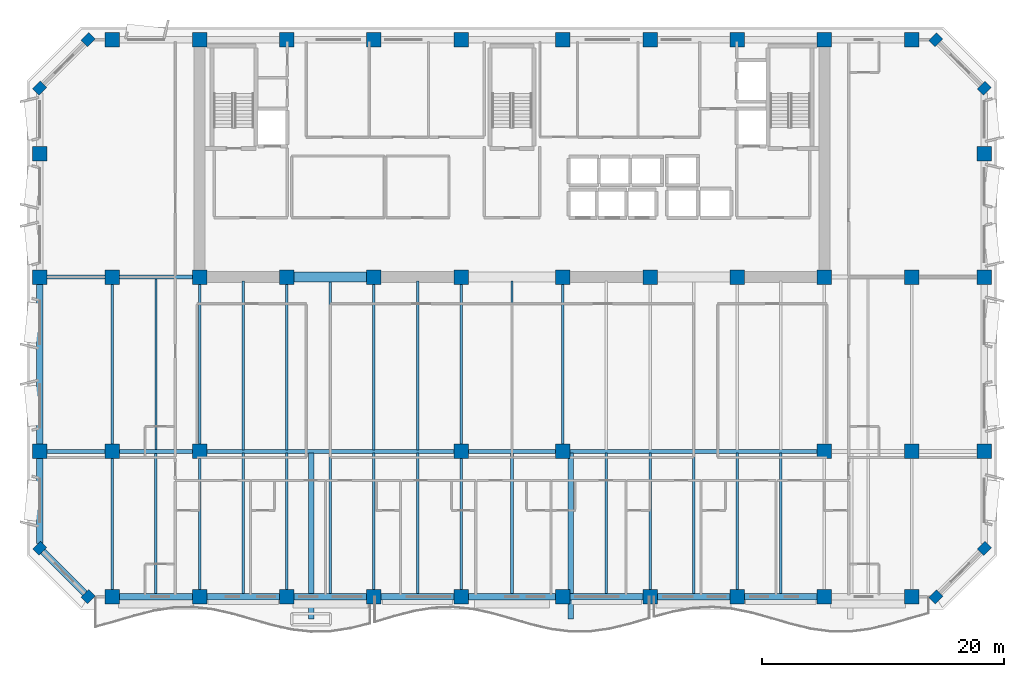
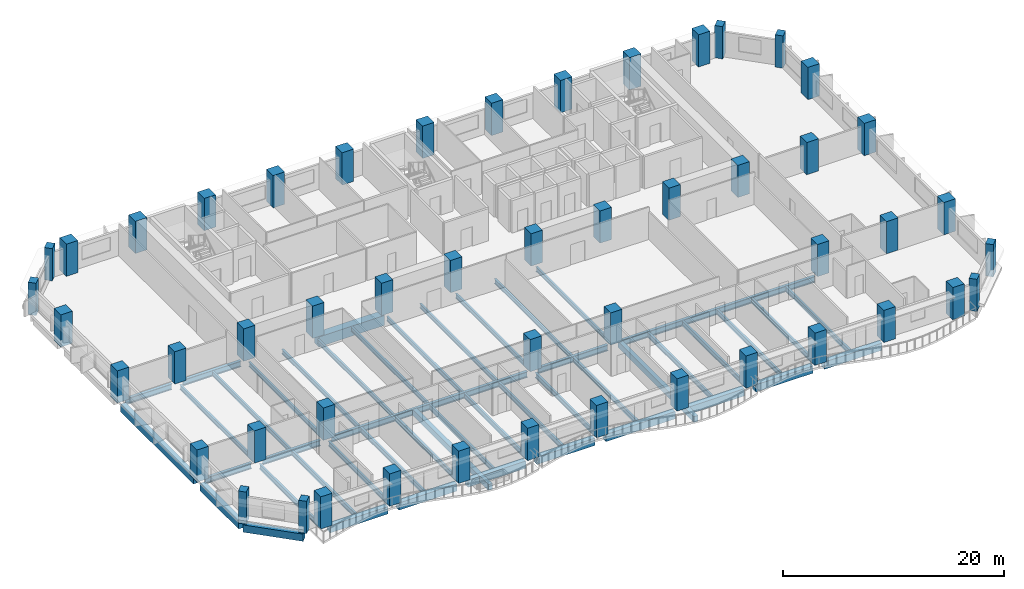
# One storey, part 1 of 15: 50 columns, 47 beams.
"""IFC4 building model written with IfcOpenShell, lengths in metres."""

from ifc_helpers import new_model, si_unit, direction, frame, origin, origin_2d, place, context, subcontext, project, spatial, rectangle, i_section, extrude, material, material_profile, profile_set, type_object, element, save


model = new_model("IFC4")

# Units and contexts
model_context = context("Model", 3, precision=1e-05, world=origin(), true_north=direction((0.0, 1.0)))
body_context = subcontext(model_context, "Body", "Model", "MODEL_VIEW")
ifc_project = project(units=[si_unit("LENGTHUNIT", "METRE"), si_unit("AREAUNIT", "SQUARE_METRE"), si_unit("VOLUMEUNIT", "CUBIC_METRE"), si_unit("PLANEANGLEUNIT", "RADIAN"), si_unit("MASSUNIT", "GRAM", prefix="KILO")], contexts=[model_context])

# Site, building, storey
site_placement = place(None, origin())
site = spatial("IfcSite", under=ifc_project, at=site_placement, CompositionType="ELEMENT")
building_placement = place(site_placement, origin())
building = spatial("IfcBuilding", under=site, at=building_placement, Name="Kaelvorn Grand Hotel", CompositionType="ELEMENT")
storey_placement = place(building_placement, frame((0.0, 0.0, 158.14990234375)))
storey = spatial("IfcBuildingStorey", under=building, at=storey_placement, Name="L38", CompositionType="ELEMENT", Elevation=158.14990234375)

# Columns
ifc_material_1 = material(Name="Concrete C60/75", Category="concrete")
ifc_material_profile_1 = material_profile(ifc_material_1, rectangle(XDim=0.89990234375, YDim=0.75, at=origin_2d()), Name="RC PILASTER 900x750")
ifc_profile_set_1 = profile_set([ifc_material_profile_1], Name="Concrete C60/75")
column_type_1 = type_object("IfcColumnType", Name="COL-PIL-900x750-C60", PredefinedType="PILASTER", material=ifc_profile_set_1)
for number, where, z_axis, x_axis, name in (
    (1, (7.0, 3.0, 0.0), (0.0, 0.0, 1.0), (0.707106781187, 0.707106781187, 0.0), "L38 Structural Column CH-01"),
    (2, (77.0, 3.0, 0.0), (0.0, 0.0, 1.0), (0.707106781187, 0.707106781187, 0.0), "L38 Structural Column CH-02"),
    (3, (81.0, 7.0, 0.0), (0.0, 0.0, 1.0), (0.707106781187, 0.707106781187, 0.0), "L38 Structural Column CH-03"),
    (4, (81.0, 45.0, 0.0), (0.0, 0.0, 1.0), (0.707106781187, 0.707106781187, 0.0), "L38 Structural Column CH-04"),
    (5, (77.0, 49.0, 0.0), (0.0, 0.0, 1.0), (0.707106781187, 0.707106781187, 0.0), "L38 Structural Column CH-05"),
    (6, (7.0, 49.0, 0.0), (0.0, 0.0, 1.0), (0.707106781187, 0.707106781187, 0.0), "L38 Structural Column CH-06"),
    (7, (3.0, 45.0, 0.0), (0.0, 0.0, 1.0), (0.707106781187, 0.707106781187, 0.0), "L38 Structural Column CH-07"),
    (8, (3.0, 7.0, 0.0), (0.0, 0.0, 1.0), (0.707106781187, 0.707106781187, 0.0), "L38 Structural Column CH-08"),
):
    element("IfcColumn", number, at=place(storey_placement, frame(where, z_axis=z_axis, x_axis=x_axis)), inside=storey, type_object=column_type_1, Name=name, PredefinedType="PILASTER", context=body_context, shape_type="SweptSolid", body=[
        extrude(rectangle(XDim=0.89990234375, YDim=0.75, at=origin_2d()), origin(), (0.0, 0.0, 1.0), 3.56005859375),
    ])
ifc_material_profile_2 = material_profile(ifc_material_1, rectangle(XDim=1.199951171875, YDim=1.199951171875, at=origin_2d()), Name="RC COL 1200x1200")
ifc_profile_set_2 = profile_set([ifc_material_profile_2], Name="Concrete C60/75")
column_type_2 = type_object("IfcColumnType", Name="COL-RC-1200-C60", PredefinedType="COLUMN", material=ifc_profile_set_2)
for number, where, z_axis, x_axis, name in (
    (9, (9.0, 3.0, 0.0), (0.0, 0.0, 1.0), (1.0, 0.0, 0.0), "L38 Structural Column S-01"),
    (10, (16.199951171875, 3.0, 0.0), (0.0, 0.0, 1.0), (1.0, 0.0, 0.0), "L38 Structural Column S-02"),
    (11, (23.39990234375, 3.0, 0.0), (0.0, 0.0, 1.0), (1.0, 0.0, 0.0), "L38 Structural Column S-03"),
    (12, (30.60009765625, 3.0, 0.0), (0.0, 0.0, 1.0), (1.0, 0.0, 0.0), "L38 Structural Column S-04"),
    (13, (37.800048828125, 3.0, 0.0), (0.0, 0.0, 1.0), (1.0, 0.0, 0.0), "L38 Structural Column S-05"),
    (14, (46.199951171875, 3.0, 0.0), (0.0, 0.0, 1.0), (1.0, 0.0, 0.0), "L38 Structural Column S-06"),
    (15, (53.39990234375, 3.0, 0.0), (0.0, 0.0, 1.0), (1.0, 0.0, 0.0), "L38 Structural Column S-07"),
    (16, (60.60009765625, 3.0, 0.0), (0.0, 0.0, 1.0), (1.0, 0.0, 0.0), "L38 Structural Column S-08"),
    (17, (67.800048828125, 3.0, 0.0), (0.0, 0.0, 1.0), (1.0, 0.0, 0.0), "L38 Structural Column S-09"),
    (18, (75.0, 3.0, 0.0), (0.0, 0.0, 1.0), (1.0, 0.0, 0.0), "L38 Structural Column S-10"),
    (19, (3.0, 15.0, 0.0), (0.0, 0.0, 1.0), (1.0, 0.0, 0.0), "L38 Structural Column W-01"),
    (20, (81.0, 15.0, 0.0), (0.0, 0.0, 1.0), (1.0, 0.0, 0.0), "L38 Structural Column E-01"),
    (21, (3.0, 29.39990234375, 0.0), (0.0, 0.0, 1.0), (1.0, 0.0, 0.0), "L38 Structural Column W-02"),
    (22, (81.0, 29.39990234375, 0.0), (0.0, 0.0, 1.0), (1.0, 0.0, 0.0), "L38 Structural Column E-02"),
    (23, (3.0, 39.60009765625, 0.0), (0.0, 0.0, 1.0), (1.0, 0.0, 0.0), "L38 Structural Column W-03"),
    (24, (81.0, 39.60009765625, 0.0), (0.0, 0.0, 1.0), (1.0, 0.0, 0.0), "L38 Structural Column E-03"),
    (25, (9.0, 15.0, 0.0), (0.0, 0.0, 1.0), (1.0, 0.0, 0.0), "L38 Structural Column M-01"),
    (26, (16.199951171875, 15.0, 0.0), (0.0, 0.0, 1.0), (1.0, 0.0, 0.0), "L38 Structural Column M-02"),
    (27, (37.800048828125, 15.0, 0.0), (0.0, 0.0, 1.0), (1.0, 0.0, 0.0), "L38 Structural Column M-03"),
    (28, (46.199951171875, 15.0, 0.0), (0.0, 0.0, 1.0), (1.0, 0.0, 0.0), "L38 Structural Column M-04"),
    (29, (67.800048828125, 15.0, 0.0), (0.0, 0.0, 1.0), (1.0, 0.0, 0.0), "L38 Structural Column M-05"),
    (30, (75.0, 15.0, 0.0), (0.0, 0.0, 1.0), (1.0, 0.0, 0.0), "L38 Structural Column M-06"),
    (31, (9.0, 29.39990234375, 0.0), (0.0, 0.0, 1.0), (1.0, 0.0, 0.0), "L38 Structural Column CR1-01"),
    (32, (9.0, 49.0, 0.0), (0.0, 0.0, 1.0), (1.0, 0.0, 0.0), "L38 Structural Column CR2-01"),
    (33, (16.199951171875, 29.39990234375, 0.0), (0.0, 0.0, 1.0), (1.0, 0.0, 0.0), "L38 Structural Column CR1-02"),
    (34, (16.199951171875, 49.0, 0.0), (0.0, 0.0, 1.0), (1.0, 0.0, 0.0), "L38 Structural Column CR2-02"),
    (35, (23.39990234375, 29.39990234375, 0.0), (0.0, 0.0, 1.0), (1.0, 0.0, 0.0), "L38 Structural Column CR1-03"),
    (36, (23.39990234375, 49.0, 0.0), (0.0, 0.0, 1.0), (1.0, 0.0, 0.0), "L38 Structural Column CR2-03"),
    (37, (30.60009765625, 29.39990234375, 0.0), (0.0, 0.0, 1.0), (1.0, 0.0, 0.0), "L38 Structural Column CR1-04"),
    (38, (30.60009765625, 49.0, 0.0), (0.0, 0.0, 1.0), (1.0, 0.0, 0.0), "L38 Structural Column CR2-04"),
    (39, (37.800048828125, 29.39990234375, 0.0), (0.0, 0.0, 1.0), (1.0, 0.0, 0.0), "L38 Structural Column CR1-05"),
    (40, (37.800048828125, 49.0, 0.0), (0.0, 0.0, 1.0), (1.0, 0.0, 0.0), "L38 Structural Column CR2-05"),
    (41, (46.199951171875, 29.39990234375, 0.0), (0.0, 0.0, 1.0), (1.0, 0.0, 0.0), "L38 Structural Column CR1-06"),
    (42, (46.199951171875, 49.0, 0.0), (0.0, 0.0, 1.0), (1.0, 0.0, 0.0), "L38 Structural Column CR2-06"),
    (43, (53.39990234375, 29.39990234375, 0.0), (0.0, 0.0, 1.0), (1.0, 0.0, 0.0), "L38 Structural Column CR1-07"),
    (44, (53.39990234375, 49.0, 0.0), (0.0, 0.0, 1.0), (1.0, 0.0, 0.0), "L38 Structural Column CR2-07"),
    (45, (60.60009765625, 29.39990234375, 0.0), (0.0, 0.0, 1.0), (1.0, 0.0, 0.0), "L38 Structural Column CR1-08"),
    (46, (60.60009765625, 49.0, 0.0), (0.0, 0.0, 1.0), (1.0, 0.0, 0.0), "L38 Structural Column CR2-08"),
    (47, (67.800048828125, 29.39990234375, 0.0), (0.0, 0.0, 1.0), (1.0, 0.0, 0.0), "L38 Structural Column CR1-09"),
    (48, (67.800048828125, 49.0, 0.0), (0.0, 0.0, 1.0), (1.0, 0.0, 0.0), "L38 Structural Column CR2-09"),
    (49, (75.0, 29.39990234375, 0.0), (0.0, 0.0, 1.0), (1.0, 0.0, 0.0), "L38 Structural Column CR1-10"),
    (50, (75.0, 49.0, 0.0), (0.0, 0.0, 1.0), (1.0, 0.0, 0.0), "L38 Structural Column CR2-10"),
):
    element("IfcColumn", number, at=place(storey_placement, frame(where, z_axis=z_axis, x_axis=x_axis)), inside=storey, type_object=column_type_2, Name=name, PredefinedType="COLUMN", context=body_context, shape_type="SweptSolid", body=[
        extrude(rectangle(XDim=1.199951171875, YDim=1.199951171875, at=origin_2d()), origin(), (0.0, 0.0, 1.0), 3.56005859375),
    ])

# Beams
ifc_material_2 = material(Name="Steel S355", Category="steel")
ifc_material_profile_3 = material_profile(ifc_material_2, i_section(OverallWidth=0.300048828125, OverallDepth=0.64990234375, WebThickness=0.01611328125, FlangeThickness=0.031005859375, FilletRadius=0.027099609375, at=origin_2d()), Name="HEB 650")
ifc_profile_set_3 = profile_set([ifc_material_profile_3], Name="Steel S355")
beam_type_1 = type_object("IfcBeamType", Name="BM-G-HEB650-S355", PredefinedType="BEAM", material=ifc_profile_set_3)
beam_1_placement = place(storey_placement, frame((3.5849609375, 15.0, -0.56494140625), z_axis=(1.0, 0.0, 0.0), x_axis=(0.0, 1.0, 0.0)))
element("IfcBeam", 51, at=beam_1_placement, inside=storey, type_object=beam_type_1, Name="L38 Primary Spine Steel Girder G-15 01", PredefinedType="BEAM", context=body_context, shape_type="SweptSolid", body=[
    extrude(i_section(OverallWidth=0.300048828125, OverallDepth=0.64990234375, WebThickness=0.01611328125, FlangeThickness=0.031005859375, FilletRadius=0.027099609375, at=origin_2d()), origin(), (0.0, 0.0, 1.0), 4.830078125),
])
beam_2_placement = place(storey_placement, frame((9.5849609375, 15.0, -0.56494140625), z_axis=(1.0, 0.0, 0.0), x_axis=(0.0, 1.0, 0.0)))
element("IfcBeam", 52, at=beam_2_placement, inside=storey, type_object=beam_type_1, Name="L38 Primary Spine Steel Girder G-15 02", PredefinedType="BEAM", context=body_context, shape_type="SweptSolid", body=[
    extrude(i_section(OverallWidth=0.300048828125, OverallDepth=0.64990234375, WebThickness=0.01611328125, FlangeThickness=0.031005859375, FilletRadius=0.027099609375, at=origin_2d()), origin(), (0.0, 0.0, 1.0), 6.030029296875),
])
beam_3_placement = place(storey_placement, frame((16.784912109375, 15.0, -0.56494140625), z_axis=(1.0, 0.0, 0.0), x_axis=(0.0, 1.0, 0.0)))
element("IfcBeam", 53, at=beam_3_placement, inside=storey, type_object=beam_type_1, Name="L38 Primary Spine Steel Girder G-15 03", PredefinedType="BEAM", context=body_context, shape_type="SweptSolid", body=[
    extrude(i_section(OverallWidth=0.300048828125, OverallDepth=0.64990234375, WebThickness=0.01611328125, FlangeThickness=0.031005859375, FilletRadius=0.027099609375, at=origin_2d()), origin(), (0.0, 0.0, 1.0), 20.43017578125),
])
beam_4_placement = place(storey_placement, frame((38.385009765625, 15.0, -0.56494140625), z_axis=(1.0, 0.0, 0.0), x_axis=(0.0, 1.0, 0.0)))
element("IfcBeam", 54, at=beam_4_placement, inside=storey, type_object=beam_type_1, Name="L38 Primary Spine Steel Girder G-15 04", PredefinedType="BEAM", context=body_context, shape_type="SweptSolid", body=[
    extrude(i_section(OverallWidth=0.300048828125, OverallDepth=0.64990234375, WebThickness=0.01611328125, FlangeThickness=0.031005859375, FilletRadius=0.027099609375, at=origin_2d()), origin(), (0.0, 0.0, 1.0), 7.22998046875),
])
beam_5_placement = place(storey_placement, frame((46.784912109375, 15.0, -0.56494140625), z_axis=(1.0, 0.0, 0.0), x_axis=(0.0, 1.0, 0.0)))
element("IfcBeam", 55, at=beam_5_placement, inside=storey, type_object=beam_type_1, Name="L38 Primary Spine Steel Girder G-15 05", PredefinedType="BEAM", context=body_context, shape_type="SweptSolid", body=[
    extrude(i_section(OverallWidth=0.300048828125, OverallDepth=0.64990234375, WebThickness=0.01611328125, FlangeThickness=0.031005859375, FilletRadius=0.027099609375, at=origin_2d()), origin(), (0.0, 0.0, 1.0), 20.43017578125),
])
beam_6_placement = place(storey_placement, frame((3.5849609375, 29.39990234375, -0.56494140625), z_axis=(1.0, 0.0, 0.0), x_axis=(0.0, 1.0, 0.0)))
element("IfcBeam", 56, at=beam_6_placement, inside=storey, type_object=beam_type_1, Name="L38 West Core Wing Steel Girder G-29W 01", PredefinedType="BEAM", context=body_context, shape_type="SweptSolid", body=[
    extrude(i_section(OverallWidth=0.300048828125, OverallDepth=0.64990234375, WebThickness=0.01611328125, FlangeThickness=0.031005859375, FilletRadius=0.027099609375, at=origin_2d()), origin(), (0.0, 0.0, 1.0), 4.830078125),
])
beam_7_placement = place(storey_placement, frame((9.5849609375, 29.39990234375, -0.56494140625), z_axis=(1.0, 0.0, 0.0), x_axis=(0.0, 1.0, 0.0)))
element("IfcBeam", 57, at=beam_7_placement, inside=storey, type_object=beam_type_1, Name="L38 West Core Wing Steel Girder G-29W 02", PredefinedType="BEAM", context=body_context, shape_type="SweptSolid", body=[
    extrude(i_section(OverallWidth=0.300048828125, OverallDepth=0.64990234375, WebThickness=0.01611328125, FlangeThickness=0.031005859375, FilletRadius=0.027099609375, at=origin_2d()), origin(), (0.0, 0.0, 1.0), 6.030029296875),
])
ifc_material_profile_4 = material_profile(ifc_material_2, i_section(OverallWidth=0.199951171875, OverallDepth=0.5, WebThickness=0.01025390625, FlangeThickness=0.01611328125, FilletRadius=0.02099609375, at=origin_2d()), Name="IPE 500")
ifc_profile_set_4 = profile_set([ifc_material_profile_4], Name="Steel S355")
beam_type_2 = type_object("IfcBeamType", Name="BM-J-IPE500-S355", PredefinedType="JOIST", material=ifc_profile_set_4)
beam_8_placement = place(storey_placement, frame((9.0, 15.5849609375, -0.489990234375), z_axis=(0.0, 1.0, 0.0), x_axis=(-1.0, 0.0, 0.0)))
element("IfcBeam", 58, at=beam_8_placement, inside=storey, type_object=beam_type_2, Name="L38 Composite Floor Joist JM-03", PredefinedType="JOIST", context=body_context, shape_type="SweptSolid", body=[
    extrude(i_section(OverallWidth=0.199951171875, OverallDepth=0.5, WebThickness=0.01025390625, FlangeThickness=0.01611328125, FilletRadius=0.02099609375, at=origin_2d()), origin(), (0.0, 0.0, 1.0), 13.22998046875),
])
beam_9_placement = place(storey_placement, frame((12.60009765625, 15.135009765625, -0.489990234375), z_axis=(0.0, 1.0, 0.0), x_axis=(-1.0, 0.0, 0.0)))
element("IfcBeam", 59, at=beam_9_placement, inside=storey, type_object=beam_type_2, Name="L38 Composite Floor Joist JM-04", PredefinedType="JOIST", context=body_context, shape_type="SweptSolid", body=[
    extrude(i_section(OverallWidth=0.199951171875, OverallDepth=0.5, WebThickness=0.01025390625, FlangeThickness=0.01611328125, FilletRadius=0.02099609375, at=origin_2d()), origin(), (0.0, 0.0, 1.0), 14.1298828125),
])
beam_10_placement = place(storey_placement, frame((16.199951171875, 15.5849609375, -0.489990234375), z_axis=(0.0, 1.0, 0.0), x_axis=(-1.0, 0.0, 0.0)))
element("IfcBeam", 60, at=beam_10_placement, inside=storey, type_object=beam_type_2, Name="L38 Composite Floor Joist JM-05", PredefinedType="JOIST", context=body_context, shape_type="SweptSolid", body=[
    extrude(i_section(OverallWidth=0.199951171875, OverallDepth=0.5, WebThickness=0.01025390625, FlangeThickness=0.01611328125, FilletRadius=0.02099609375, at=origin_2d()), origin(), (0.0, 0.0, 1.0), 13.22998046875),
])
beam_11_placement = place(storey_placement, frame((19.800048828125, 15.135009765625, -0.489990234375), z_axis=(0.0, 1.0, 0.0), x_axis=(-1.0, 0.0, 0.0)))
element("IfcBeam", 61, at=beam_11_placement, inside=storey, type_object=beam_type_2, Name="L38 Composite Floor Joist JM-06", PredefinedType="JOIST", context=body_context, shape_type="SweptSolid", body=[
    extrude(i_section(OverallWidth=0.199951171875, OverallDepth=0.5, WebThickness=0.01025390625, FlangeThickness=0.01611328125, FilletRadius=0.02099609375, at=origin_2d()), origin(), (0.0, 0.0, 1.0), 13.925048828125),
])
beam_12_placement = place(storey_placement, frame((23.39990234375, 15.135009765625, -0.489990234375), z_axis=(0.0, 1.0, 0.0), x_axis=(-1.0, 0.0, 0.0)))
element("IfcBeam", 62, at=beam_12_placement, inside=storey, type_object=beam_type_2, Name="L38 Composite Floor Joist JM-07", PredefinedType="JOIST", context=body_context, shape_type="SweptSolid", body=[
    extrude(i_section(OverallWidth=0.199951171875, OverallDepth=0.5, WebThickness=0.01025390625, FlangeThickness=0.01611328125, FilletRadius=0.02099609375, at=origin_2d()), origin(), (0.0, 0.0, 1.0), 13.679931640625),
])
beam_13_placement = place(storey_placement, frame((27.0, 15.135009765625, -0.489990234375), z_axis=(0.0, 1.0, 0.0), x_axis=(-1.0, 0.0, 0.0)))
element("IfcBeam", 63, at=beam_13_placement, inside=storey, type_object=beam_type_2, Name="L38 Composite Floor Joist JM-08", PredefinedType="JOIST", context=body_context, shape_type="SweptSolid", body=[
    extrude(i_section(OverallWidth=0.199951171875, OverallDepth=0.5, WebThickness=0.01025390625, FlangeThickness=0.01611328125, FilletRadius=0.02099609375, at=origin_2d()), origin(), (0.0, 0.0, 1.0), 13.925048828125),
])
beam_14_placement = place(storey_placement, frame((30.60009765625, 15.135009765625, -0.489990234375), z_axis=(0.0, 1.0, 0.0), x_axis=(-1.0, 0.0, 0.0)))
element("IfcBeam", 64, at=beam_14_placement, inside=storey, type_object=beam_type_2, Name="L38 Composite Floor Joist JM-09", PredefinedType="JOIST", context=body_context, shape_type="SweptSolid", body=[
    extrude(i_section(OverallWidth=0.199951171875, OverallDepth=0.5, WebThickness=0.01025390625, FlangeThickness=0.01611328125, FilletRadius=0.02099609375, at=origin_2d()), origin(), (0.0, 0.0, 1.0), 13.679931640625),
])
beam_15_placement = place(storey_placement, frame((34.199951171875, 15.135009765625, -0.489990234375), z_axis=(0.0, 1.0, 0.0), x_axis=(-1.0, 0.0, 0.0)))
element("IfcBeam", 65, at=beam_15_placement, inside=storey, type_object=beam_type_2, Name="L38 Composite Floor Joist JM-10", PredefinedType="JOIST", context=body_context, shape_type="SweptSolid", body=[
    extrude(i_section(OverallWidth=0.199951171875, OverallDepth=0.5, WebThickness=0.01025390625, FlangeThickness=0.01611328125, FilletRadius=0.02099609375, at=origin_2d()), origin(), (0.0, 0.0, 1.0), 13.925048828125),
])
beam_16_placement = place(storey_placement, frame((37.800048828125, 15.5849609375, -0.489990234375), z_axis=(0.0, 1.0, 0.0), x_axis=(-1.0, 0.0, 0.0)))
element("IfcBeam", 66, at=beam_16_placement, inside=storey, type_object=beam_type_2, Name="L38 Composite Floor Joist JM-11", PredefinedType="JOIST", context=body_context, shape_type="SweptSolid", body=[
    extrude(i_section(OverallWidth=0.199951171875, OverallDepth=0.5, WebThickness=0.01025390625, FlangeThickness=0.01611328125, FilletRadius=0.02099609375, at=origin_2d()), origin(), (0.0, 0.0, 1.0), 13.22998046875),
])
beam_17_placement = place(storey_placement, frame((42.0, 15.135009765625, -0.489990234375), z_axis=(0.0, 1.0, 0.0), x_axis=(-1.0, 0.0, 0.0)))
element("IfcBeam", 67, at=beam_17_placement, inside=storey, type_object=beam_type_2, Name="L38 Composite Floor Joist JM-12", PredefinedType="JOIST", context=body_context, shape_type="SweptSolid", body=[
    extrude(i_section(OverallWidth=0.199951171875, OverallDepth=0.5, WebThickness=0.01025390625, FlangeThickness=0.01611328125, FilletRadius=0.02099609375, at=origin_2d()), origin(), (0.0, 0.0, 1.0), 13.925048828125),
])
beam_18_placement = place(storey_placement, frame((46.199951171875, 15.5849609375, -0.489990234375), z_axis=(0.0, 1.0, 0.0), x_axis=(-1.0, 0.0, 0.0)))
element("IfcBeam", 68, at=beam_18_placement, inside=storey, type_object=beam_type_2, Name="L38 Composite Floor Joist JM-13", PredefinedType="JOIST", context=body_context, shape_type="SweptSolid", body=[
    extrude(i_section(OverallWidth=0.199951171875, OverallDepth=0.5, WebThickness=0.01025390625, FlangeThickness=0.01611328125, FilletRadius=0.02099609375, at=origin_2d()), origin(), (0.0, 0.0, 1.0), 13.22998046875),
])
ifc_material_profile_5 = material_profile(ifc_material_2, i_section(OverallWidth=0.2099609375, OverallDepth=0.550048828125, WebThickness=0.010986328125, FlangeThickness=0.01708984375, FilletRadius=0.02392578125, at=origin_2d()), Name="IPE 550")
ifc_profile_set_5 = profile_set([ifc_material_profile_5], Name="Steel S355")
beam_type_3 = type_object("IfcBeamType", Name="BM-J-IPE550-S355", PredefinedType="JOIST", material=ifc_profile_set_5)
beam_19_placement = place(storey_placement, frame((9.0, 3.5849609375, -0.514892578125), z_axis=(0.0, 1.0, 0.0), x_axis=(-1.0, 0.0, 0.0)))
element("IfcBeam", 69, at=beam_19_placement, inside=storey, type_object=beam_type_3, Name="L38 Composite Floor Joist JS-03", PredefinedType="JOIST", context=body_context, shape_type="SweptSolid", body=[
    extrude(i_section(OverallWidth=0.2099609375, OverallDepth=0.550048828125, WebThickness=0.010986328125, FlangeThickness=0.01708984375, FilletRadius=0.02392578125, at=origin_2d()), origin(), (0.0, 0.0, 1.0), 10.830078125),
])
beam_20_placement = place(storey_placement, frame((12.60009765625, 3.260009765625, -0.514892578125), z_axis=(0.0, 1.0, 0.0), x_axis=(-1.0, 0.0, 0.0)))
element("IfcBeam", 70, at=beam_20_placement, inside=storey, type_object=beam_type_3, Name="L38 Composite Floor Joist JS-04", PredefinedType="JOIST", context=body_context, shape_type="SweptSolid", body=[
    extrude(i_section(OverallWidth=0.2099609375, OverallDepth=0.550048828125, WebThickness=0.010986328125, FlangeThickness=0.01708984375, FilletRadius=0.02392578125, at=origin_2d()), origin(), (0.0, 0.0, 1.0), 11.60498046875),
])
beam_21_placement = place(storey_placement, frame((16.199951171875, 3.5849609375, -0.514892578125), z_axis=(0.0, 1.0, 0.0), x_axis=(-1.0, 0.0, 0.0)))
element("IfcBeam", 71, at=beam_21_placement, inside=storey, type_object=beam_type_3, Name="L38 Composite Floor Joist JS-05", PredefinedType="JOIST", context=body_context, shape_type="SweptSolid", body=[
    extrude(i_section(OverallWidth=0.2099609375, OverallDepth=0.550048828125, WebThickness=0.010986328125, FlangeThickness=0.01708984375, FilletRadius=0.02392578125, at=origin_2d()), origin(), (0.0, 0.0, 1.0), 10.830078125),
])
beam_22_placement = place(storey_placement, frame((19.800048828125, 3.260009765625, -0.514892578125), z_axis=(0.0, 1.0, 0.0), x_axis=(-1.0, 0.0, 0.0)))
element("IfcBeam", 72, at=beam_22_placement, inside=storey, type_object=beam_type_3, Name="L38 Composite Floor Joist JS-06", PredefinedType="JOIST", context=body_context, shape_type="SweptSolid", body=[
    extrude(i_section(OverallWidth=0.2099609375, OverallDepth=0.550048828125, WebThickness=0.010986328125, FlangeThickness=0.01708984375, FilletRadius=0.02392578125, at=origin_2d()), origin(), (0.0, 0.0, 1.0), 11.60498046875),
])
beam_23_placement = place(storey_placement, frame((23.39990234375, 3.5849609375, -0.514892578125), z_axis=(0.0, 1.0, 0.0), x_axis=(-1.0, 0.0, 0.0)))
element("IfcBeam", 73, at=beam_23_placement, inside=storey, type_object=beam_type_3, Name="L38 Composite Floor Joist JS-07", PredefinedType="JOIST", context=body_context, shape_type="SweptSolid", body=[
    extrude(i_section(OverallWidth=0.2099609375, OverallDepth=0.550048828125, WebThickness=0.010986328125, FlangeThickness=0.01708984375, FilletRadius=0.02392578125, at=origin_2d()), origin(), (0.0, 0.0, 1.0), 11.280029296875),
])
beam_24_placement = place(storey_placement, frame((27.0, 3.260009765625, -0.514892578125), z_axis=(0.0, 1.0, 0.0), x_axis=(-1.0, 0.0, 0.0)))
element("IfcBeam", 74, at=beam_24_placement, inside=storey, type_object=beam_type_3, Name="L38 Composite Floor Joist JS-08", PredefinedType="JOIST", context=body_context, shape_type="SweptSolid", body=[
    extrude(i_section(OverallWidth=0.2099609375, OverallDepth=0.550048828125, WebThickness=0.010986328125, FlangeThickness=0.01708984375, FilletRadius=0.02392578125, at=origin_2d()), origin(), (0.0, 0.0, 1.0), 11.60498046875),
])
beam_25_placement = place(storey_placement, frame((30.60009765625, 3.5849609375, -0.514892578125), z_axis=(0.0, 1.0, 0.0), x_axis=(-1.0, 0.0, 0.0)))
element("IfcBeam", 75, at=beam_25_placement, inside=storey, type_object=beam_type_3, Name="L38 Composite Floor Joist JS-09", PredefinedType="JOIST", context=body_context, shape_type="SweptSolid", body=[
    extrude(i_section(OverallWidth=0.2099609375, OverallDepth=0.550048828125, WebThickness=0.010986328125, FlangeThickness=0.01708984375, FilletRadius=0.02392578125, at=origin_2d()), origin(), (0.0, 0.0, 1.0), 11.280029296875),
])
beam_26_placement = place(storey_placement, frame((34.199951171875, 3.260009765625, -0.514892578125), z_axis=(0.0, 1.0, 0.0), x_axis=(-1.0, 0.0, 0.0)))
element("IfcBeam", 76, at=beam_26_placement, inside=storey, type_object=beam_type_3, Name="L38 Composite Floor Joist JS-10", PredefinedType="JOIST", context=body_context, shape_type="SweptSolid", body=[
    extrude(i_section(OverallWidth=0.2099609375, OverallDepth=0.550048828125, WebThickness=0.010986328125, FlangeThickness=0.01708984375, FilletRadius=0.02392578125, at=origin_2d()), origin(), (0.0, 0.0, 1.0), 11.60498046875),
])
beam_27_placement = place(storey_placement, frame((37.800048828125, 3.5849609375, -0.514892578125), z_axis=(0.0, 1.0, 0.0), x_axis=(-1.0, 0.0, 0.0)))
element("IfcBeam", 77, at=beam_27_placement, inside=storey, type_object=beam_type_3, Name="L38 Composite Floor Joist JS-11", PredefinedType="JOIST", context=body_context, shape_type="SweptSolid", body=[
    extrude(i_section(OverallWidth=0.2099609375, OverallDepth=0.550048828125, WebThickness=0.010986328125, FlangeThickness=0.01708984375, FilletRadius=0.02392578125, at=origin_2d()), origin(), (0.0, 0.0, 1.0), 10.830078125),
])
for number, where, z_axis, x_axis, name in (
    (78, (42.0, 3.260009765625, -0.514892578125), (0.0, 1.0, 0.0), (-1.0, 0.0, 0.0), "L38 Composite Floor Joist JS-12"),
    (79, (49.800048828125, 3.260009765625, -0.514892578125), (0.0, 1.0, 0.0), (-1.0, 0.0, 0.0), "L38 Composite Floor Joist JS-14"),
):
    element("IfcBeam", number, at=place(storey_placement, frame(where, z_axis=z_axis, x_axis=x_axis)), inside=storey, type_object=beam_type_3, Name=name, PredefinedType="JOIST", context=body_context, shape_type="SweptSolid", body=[
        extrude(i_section(OverallWidth=0.2099609375, OverallDepth=0.550048828125, WebThickness=0.010986328125, FlangeThickness=0.01708984375, FilletRadius=0.02392578125, at=origin_2d()), origin(), (0.0, 0.0, 1.0), 11.60498046875),
    ])
beam_28_placement = place(storey_placement, frame((53.39990234375, 3.5849609375, -0.514892578125), z_axis=(0.0, 1.0, 0.0), x_axis=(-1.0, 0.0, 0.0)))
element("IfcBeam", 80, at=beam_28_placement, inside=storey, type_object=beam_type_3, Name="L38 Composite Floor Joist JS-15", PredefinedType="JOIST", context=body_context, shape_type="SweptSolid", body=[
    extrude(i_section(OverallWidth=0.2099609375, OverallDepth=0.550048828125, WebThickness=0.010986328125, FlangeThickness=0.01708984375, FilletRadius=0.02392578125, at=origin_2d()), origin(), (0.0, 0.0, 1.0), 11.280029296875),
])
beam_29_placement = place(storey_placement, frame((57.0, 3.260009765625, -0.514892578125), z_axis=(0.0, 1.0, 0.0), x_axis=(-1.0, 0.0, 0.0)))
element("IfcBeam", 81, at=beam_29_placement, inside=storey, type_object=beam_type_3, Name="L38 Composite Floor Joist JS-16", PredefinedType="JOIST", context=body_context, shape_type="SweptSolid", body=[
    extrude(i_section(OverallWidth=0.2099609375, OverallDepth=0.550048828125, WebThickness=0.010986328125, FlangeThickness=0.01708984375, FilletRadius=0.02392578125, at=origin_2d()), origin(), (0.0, 0.0, 1.0), 11.60498046875),
])
beam_30_placement = place(storey_placement, frame((60.60009765625, 3.5849609375, -0.514892578125), z_axis=(0.0, 1.0, 0.0), x_axis=(-1.0, 0.0, 0.0)))
element("IfcBeam", 82, at=beam_30_placement, inside=storey, type_object=beam_type_3, Name="L38 Composite Floor Joist JS-17", PredefinedType="JOIST", context=body_context, shape_type="SweptSolid", body=[
    extrude(i_section(OverallWidth=0.2099609375, OverallDepth=0.550048828125, WebThickness=0.010986328125, FlangeThickness=0.01708984375, FilletRadius=0.02392578125, at=origin_2d()), origin(), (0.0, 0.0, 1.0), 11.280029296875),
])
beam_31_placement = place(storey_placement, frame((64.199951171875, 3.260009765625, -0.514892578125), z_axis=(0.0, 1.0, 0.0), x_axis=(-1.0, 0.0, 0.0)))
element("IfcBeam", 83, at=beam_31_placement, inside=storey, type_object=beam_type_3, Name="L38 Composite Floor Joist JS-18", PredefinedType="JOIST", context=body_context, shape_type="SweptSolid", body=[
    extrude(i_section(OverallWidth=0.2099609375, OverallDepth=0.550048828125, WebThickness=0.010986328125, FlangeThickness=0.01708984375, FilletRadius=0.02392578125, at=origin_2d()), origin(), (0.0, 0.0, 1.0), 11.60498046875),
])
ifc_material_profile_6 = material_profile(ifc_material_1, rectangle(XDim=0.800048828125, YDim=1.10009765625, at=origin_2d()), Name="RC LINTEL 800x1100")
ifc_profile_set_6 = profile_set([ifc_material_profile_6], Name="Concrete C60/75")
beam_type_4 = type_object("IfcBeamType", Name="BM-LIN-800x1100-C60", PredefinedType="LINTEL", material=ifc_profile_set_6)
beam_32_placement = place(storey_placement, frame((23.580078125, 29.39990234375, -0.789794921875), z_axis=(1.0, 0.0, 0.0), x_axis=(0.0, 1.0, 0.0)))
element("IfcBeam", 84, at=beam_32_placement, inside=storey, type_object=beam_type_4, Name="L38 Rear-Core Coupling Lintel Beam CB1-01", PredefinedType="LINTEL", context=body_context, shape_type="SweptSolid", body=[
    extrude(rectangle(XDim=0.800048828125, YDim=1.10009765625, at=origin_2d()), origin(), (0.0, 0.0, 1.0), 6.83984375),
])
ifc_material_3 = material(Name="Concrete C40/50", Category="concrete")
ifc_material_profile_7 = material_profile(ifc_material_3, rectangle(XDim=0.449951171875, YDim=0.64990234375, at=origin_2d()), Name="RC RIB 450x650")
ifc_profile_set_7 = profile_set([ifc_material_profile_7], Name="Concrete C40/50")
beam_type_5 = type_object("IfcBeamType", Name="BM-RIB-450x650-C40", PredefinedType="SPANDREL", material=ifc_profile_set_7)
for number, where, z_axis, x_axis, name in (
    (85, (25.409423828125, 1.14990234375, -0.544921875), (0.0, 1.0, 0.0), (-1.0, 0.0, 0.0), "L38 Cantilevered Balcony Back-Span Rib RB1-1"),
    (86, (46.857177734375, 1.14990234375, -0.544921875), (0.0, 1.0, 0.0), (-1.0, 0.0, 0.0), "L38 Cantilevered Balcony Back-Span Rib RB1-2"),
):
    element("IfcBeam", number, at=place(storey_placement, frame(where, z_axis=z_axis, x_axis=x_axis)), inside=storey, type_object=beam_type_5, Name=name, PredefinedType="SPANDREL", context=body_context, shape_type="SweptSolid", body=[
        extrude(rectangle(XDim=0.449951171875, YDim=0.64990234375, at=origin_2d()), origin(), (0.0, 0.0, 1.0), 13.715087890625),
    ])
ifc_material_4 = material(Name="Concrete C50/60", Category="concrete")
ifc_material_profile_8 = material_profile(ifc_material_4, rectangle(XDim=0.550048828125, YDim=0.800048828125, at=origin_2d()), Name="RC SPANDREL 550x800")
ifc_profile_set_8 = profile_set([ifc_material_profile_8], Name="Concrete C50/60")
beam_type_6 = type_object("IfcBeamType", Name="BM-SP-550x800-C50", PredefinedType="SPANDREL", material=ifc_profile_set_8)
for number, where, z_axis, x_axis, name in (
    (87, (9.5849609375, 3.0, -0.639892578125), (1.0, 0.0, 0.0), (0.0, 1.0, 0.0), "L38 South Perimeter Spandrel 02"),
    (88, (16.784912109375, 3.0, -0.639892578125), (1.0, 0.0, 0.0), (0.0, 1.0, 0.0), "L38 South Perimeter Spandrel 03"),
):
    element("IfcBeam", number, at=place(storey_placement, frame(where, z_axis=z_axis, x_axis=x_axis)), inside=storey, type_object=beam_type_6, Name=name, PredefinedType="SPANDREL", context=body_context, shape_type="SweptSolid", body=[
        extrude(rectangle(XDim=0.550048828125, YDim=0.800048828125, at=origin_2d()), origin(), (0.0, 0.0, 1.0), 6.030029296875),
    ])
beam_33_placement = place(storey_placement, frame((23.985107421875, 3.0, -0.639892578125), z_axis=(1.0, 0.0, 0.0), x_axis=(0.0, 1.0, 0.0)))
element("IfcBeam", 89, at=beam_33_placement, inside=storey, type_object=beam_type_6, Name="L38 South Perimeter Spandrel 04", PredefinedType="SPANDREL", context=body_context, shape_type="SweptSolid", body=[
    extrude(rectangle(XDim=0.550048828125, YDim=0.800048828125, at=origin_2d()), origin(), (0.0, 0.0, 1.0), 6.02978515625),
])
beam_34_placement = place(storey_placement, frame((31.18505859375, 3.0, -0.639892578125), z_axis=(1.0, 0.0, 0.0), x_axis=(0.0, 1.0, 0.0)))
element("IfcBeam", 90, at=beam_34_placement, inside=storey, type_object=beam_type_6, Name="L38 South Perimeter Spandrel 05", PredefinedType="SPANDREL", context=body_context, shape_type="SweptSolid", body=[
    extrude(rectangle(XDim=0.550048828125, YDim=0.800048828125, at=origin_2d()), origin(), (0.0, 0.0, 1.0), 6.030029296875),
])
beam_35_placement = place(storey_placement, frame((38.385009765625, 3.0, -0.639892578125), z_axis=(1.0, 0.0, 0.0), x_axis=(0.0, 1.0, 0.0)))
element("IfcBeam", 91, at=beam_35_placement, inside=storey, type_object=beam_type_6, Name="L38 South Perimeter Spandrel 06", PredefinedType="SPANDREL", context=body_context, shape_type="SweptSolid", body=[
    extrude(rectangle(XDim=0.550048828125, YDim=0.800048828125, at=origin_2d()), origin(), (0.0, 0.0, 1.0), 7.22998046875),
])
beam_36_placement = place(storey_placement, frame((46.784912109375, 3.0, -0.639892578125), z_axis=(1.0, 0.0, 0.0), x_axis=(0.0, 1.0, 0.0)))
element("IfcBeam", 92, at=beam_36_placement, inside=storey, type_object=beam_type_6, Name="L38 South Perimeter Spandrel 07", PredefinedType="SPANDREL", context=body_context, shape_type="SweptSolid", body=[
    extrude(rectangle(XDim=0.550048828125, YDim=0.800048828125, at=origin_2d()), origin(), (0.0, 0.0, 1.0), 6.030029296875),
])
beam_37_placement = place(storey_placement, frame((53.985107421875, 3.0, -0.639892578125), z_axis=(1.0, 0.0, 0.0), x_axis=(0.0, 1.0, 0.0)))
element("IfcBeam", 93, at=beam_37_placement, inside=storey, type_object=beam_type_6, Name="L38 South Perimeter Spandrel 08", PredefinedType="SPANDREL", context=body_context, shape_type="SweptSolid", body=[
    extrude(rectangle(XDim=0.550048828125, YDim=0.800048828125, at=origin_2d()), origin(), (0.0, 0.0, 1.0), 6.02978515625),
])
beam_38_placement = place(storey_placement, frame((61.18505859375, 3.0, -0.639892578125), z_axis=(1.0, 0.0, 0.0), x_axis=(0.0, 1.0, 0.0)))
element("IfcBeam", 94, at=beam_38_placement, inside=storey, type_object=beam_type_6, Name="L38 South Perimeter Spandrel 09", PredefinedType="SPANDREL", context=body_context, shape_type="SweptSolid", body=[
    extrude(rectangle(XDim=0.550048828125, YDim=0.800048828125, at=origin_2d()), origin(), (0.0, 0.0, 1.0), 6.030029296875),
])
beam_39_placement = place(storey_placement, frame((3.0, 7.405029296875, -0.639892578125), z_axis=(0.0, 1.0, 0.0), x_axis=(-1.0, 0.0, 0.0)))
element("IfcBeam", 95, at=beam_39_placement, inside=storey, type_object=beam_type_6, Name="L38 West Perimeter Spandrel 01", PredefinedType="SPANDREL", context=body_context, shape_type="SweptSolid", body=[
    extrude(rectangle(XDim=0.550048828125, YDim=0.800048828125, at=origin_2d()), origin(), (0.0, 0.0, 1.0), 7.010009765625),
])
beam_40_placement = place(storey_placement, frame((3.0, 15.5849609375, -0.639892578125), z_axis=(0.0, 1.0, 0.0), x_axis=(-1.0, 0.0, 0.0)))
element("IfcBeam", 96, at=beam_40_placement, inside=storey, type_object=beam_type_6, Name="L38 West Perimeter Spandrel 02", PredefinedType="SPANDREL", context=body_context, shape_type="SweptSolid", body=[
    extrude(rectangle(XDim=0.550048828125, YDim=0.800048828125, at=origin_2d()), origin(), (0.0, 0.0, 1.0), 13.22998046875),
])
beam_41_placement = place(storey_placement, frame((3.0, 7.0, -0.639892578125), z_axis=(0.707106781187, -0.707106781187, 0.0), x_axis=(0.707106781187, 0.707106781187, 0.0)))
element("IfcBeam", 97, at=beam_41_placement, inside=storey, type_object=beam_type_6, Name="L38 Chamfer Spandrel Beam 4", PredefinedType="SPANDREL", context=body_context, shape_type="SweptSolid", body=[
    extrude(rectangle(XDim=0.550048828125, YDim=0.800048828125, at=origin_2d()), origin(), (0.0, 0.0, 1.0), 5.65673828125),
])

save(model, "model.ifc")
